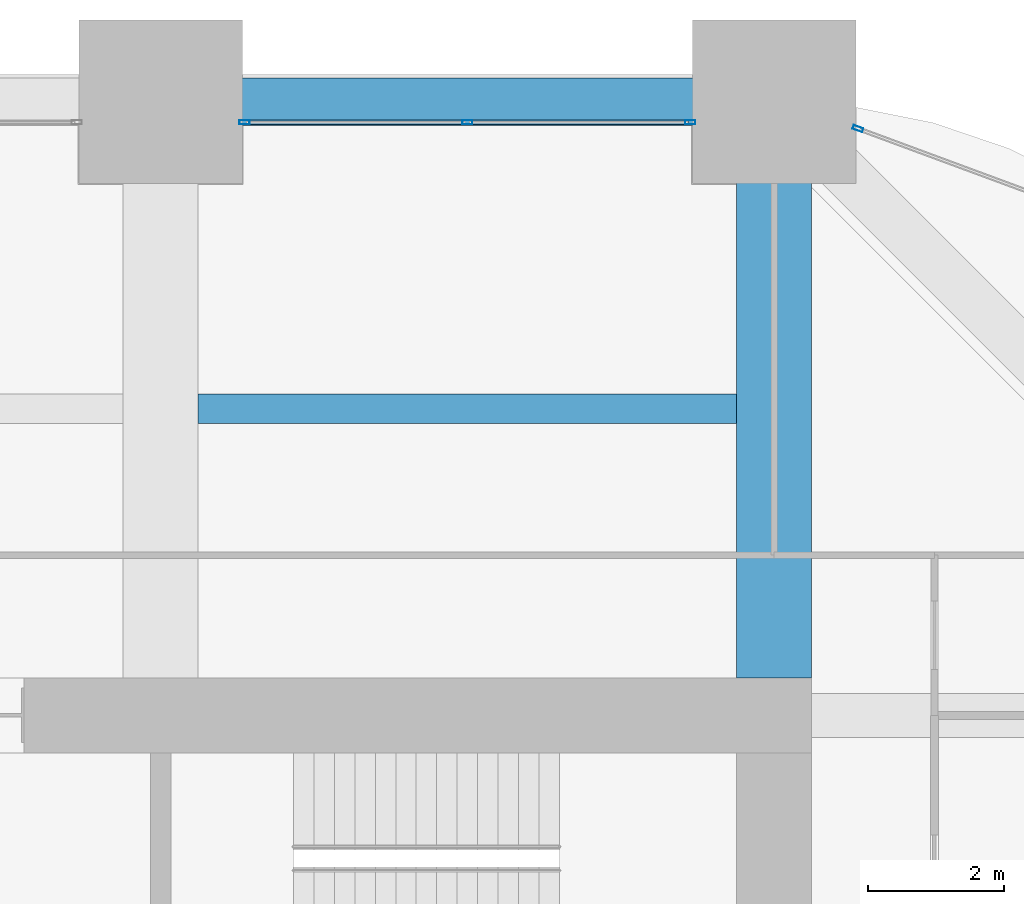
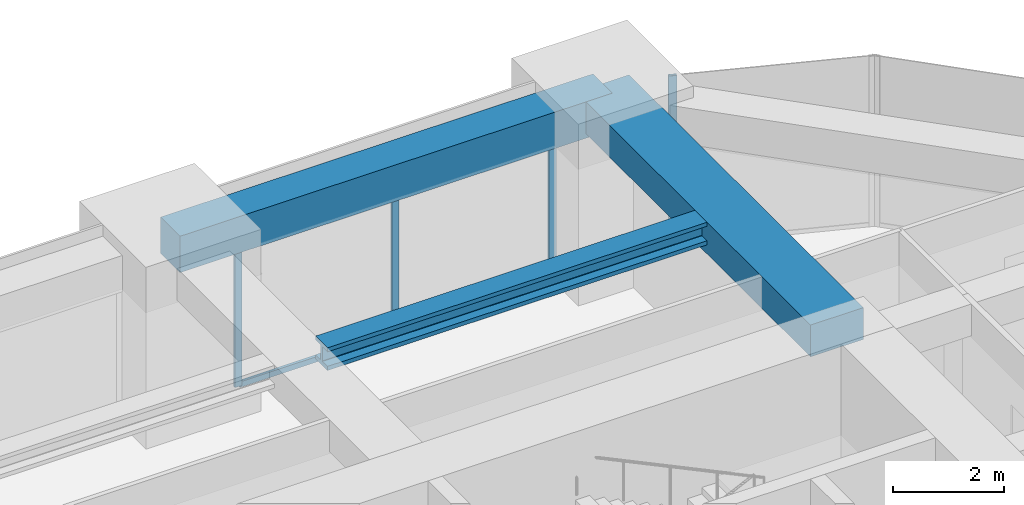
# One storey, part 26 of 34: 5 members, 3 beams, 2 elements without a shape of their own.
"""IFC4 building model written with IfcOpenShell, lengths in metres."""

from ifc_helpers import new_model, si_unit, direction, frame, origin, origin_2d, place, context, subcontext, project, spatial, rectangle, hollow_rectangle, i_section, extrude, material, material_profile, profile_set, type_object, element, aggregate, save


model = new_model("IFC4")

# Units and contexts
model_context = context("Model", 3, precision=1e-05, world=origin(), true_north=direction((0.0, 1.0)))
body_context = subcontext(model_context, "Body", "Model", "MODEL_VIEW")
ifc_project = project(units=[si_unit("LENGTHUNIT", "METRE"), si_unit("AREAUNIT", "SQUARE_METRE"), si_unit("VOLUMEUNIT", "CUBIC_METRE"), si_unit("PLANEANGLEUNIT", "RADIAN"), si_unit("MASSUNIT", "GRAM", prefix="KILO")], contexts=[model_context])

# Site, building, storey
site_placement = place(None, origin())
site = spatial("IfcSite", under=ifc_project, at=site_placement, CompositionType="ELEMENT")
building_placement = place(site_placement, origin())
building = spatial("IfcBuilding", under=site, at=building_placement, Name="Zorevar Civic Tower", CompositionType="ELEMENT")
storey_placement = place(building_placement, frame((0.0, 0.0, 174.199951171875)))
storey = spatial("IfcBuildingStorey", under=building, at=storey_placement, Name="L42", CompositionType="ELEMENT", Elevation=174.199951171875)

# Beam
ifc_material_1 = material(Name="Concrete C50/60", Category="concrete")
ifc_material_profile_1 = material_profile(ifc_material_1, rectangle(XDim=1.10009765625, YDim=0.699951171875, at=origin_2d()), Name="RC 1100x700")
ifc_profile_set_1 = profile_set([ifc_material_profile_1], Name="Concrete C50/60")
beam_type_1 = type_object("IfcBeamType", Name="Beam RC 1100x700", PredefinedType="BEAM", material=ifc_profile_set_1)
beam_1_placement = place(storey_placement, frame((45.0, 36.550048828125, 3.400146484375), z_axis=(0.0, 1.0, 0.0), x_axis=(-1.0, 0.0, 0.0)))
element("IfcBeam", 1, at=beam_1_placement, inside=storey, type_object=beam_type_1, Name="Girder L43", PredefinedType="BEAM", context=body_context, shape_type="SweptSolid", body=[
    extrude(rectangle(XDim=1.10009765625, YDim=0.699951171875, at=origin_2d()), origin(), (0.0, 0.0, 1.0), 8.449951171875),
])

# Curtain wall, members
ifc_material_2 = material(Name="Dark grey solar-control glass in black aluminium frame", Category="aluminium")
curtain_wall_type = type_object("IfcCurtainWallType", Name="Curtain wall CW4 high zone", PredefinedType="NOTDEFINED", material=ifc_material_2)
curtain_wall_1_placement = place(storey_placement, origin())
curtain_wall_1 = element("IfcCurtainWall", 2, at=curtain_wall_1_placement, inside=storey, type_object=curtain_wall_type, Name="CW4 L42", PredefinedType="NOTDEFINED")
ifc_material_3 = material(Name="Aluminium, black anodised", Category="aluminium")
ifc_material_profile_2 = material_profile(ifc_material_3, hollow_rectangle(XDim=0.06005859375, YDim=0.14990234375, WallThickness=0.00390625, at=origin_2d()), Name="AL 150x60x4")
ifc_profile_set_2 = profile_set([ifc_material_profile_2], Name="Aluminium, black anodised")
member_type_1 = type_object("IfcMemberType", Name="CW4 mullion AL 150x60x4", PredefinedType="MULLION", material=ifc_profile_set_2)
member_1_placement = place(storey_placement, frame((37.22998046875, 44.699951171875, 0.0), z_axis=(0.0, 0.0, 1.0), x_axis=(0.0, 1.0, 0.0)))
member_1 = element("IfcMember", 3, at=member_1_placement, type_object=member_type_1, Name="CW4 mullion 1", PredefinedType="MULLION", context=body_context, shape_type="SweptSolid", body=[
    extrude(hollow_rectangle(XDim=0.06005859375, YDim=0.14990234375, WallThickness=0.00390625, at=origin_2d()), origin(), (0.0, 0.0, 1.0), 2.949951171875),
])
member_2_placement = place(storey_placement, frame((40.5, 44.699951171875, 0.06005859375), z_axis=(0.0, 0.0, 1.0), x_axis=(0.0, 1.0, 0.0)))
member_2 = element("IfcMember", 4, at=member_2_placement, type_object=member_type_1, Name="CW4 mullion 2", PredefinedType="MULLION", context=body_context, shape_type="SweptSolid", body=[
    extrude(hollow_rectangle(XDim=0.06005859375, YDim=0.14990234375, WallThickness=0.00390625, at=origin_2d()), origin(), (0.0, 0.0, 1.0), 2.889892578125),
])
member_3_placement = place(storey_placement, frame((43.77001953125, 44.699951171875, 0.0), z_axis=(0.0, 0.0, 1.0), x_axis=(0.0, 1.0, 0.0)))
member_3 = element("IfcMember", 5, at=member_3_placement, type_object=member_type_1, Name="CW4 mullion 3", PredefinedType="MULLION", context=body_context, shape_type="SweptSolid", body=[
    extrude(hollow_rectangle(XDim=0.06005859375, YDim=0.14990234375, WallThickness=0.00390625, at=origin_2d()), origin(), (0.0, 0.0, 1.0), 2.949951171875),
])

# Curtain wall, member
curtain_wall_2_placement = place(storey_placement, origin())
curtain_wall_2 = element("IfcCurtainWall", 6, at=curtain_wall_2_placement, inside=storey, type_object=curtain_wall_type, Name="CW4 L42", PredefinedType="NOTDEFINED")
member_4_placement = place(storey_placement, frame((46.22802734375, 44.6064453125, 0.0), z_axis=(0.0, 0.0, 1.0), x_axis=(-0.346704012033, -0.937974588163, 0.0)))
member_4 = element("IfcMember", 7, at=member_4_placement, type_object=member_type_1, Name="CW4 mullion 2", PredefinedType="MULLION", context=body_context, shape_type="SweptSolid", body=[
    extrude(hollow_rectangle(XDim=0.06005859375, YDim=0.14990234375, WallThickness=0.00390625, at=origin_2d()), origin(), (0.0, 0.0, 1.0), 3.75),
])
aggregate(curtain_wall_2, [member_4])

# Member
ifc_material_4 = material(Name="Aluminium, black anodised", Category="aluminium")
ifc_material_profile_3 = material_profile(ifc_material_4, hollow_rectangle(XDim=0.06005859375, YDim=0.1201171875, WallThickness=0.0029296875, at=origin_2d()), Name="AL 120x60x3")
ifc_profile_set_3 = profile_set([ifc_material_profile_3], Name="Aluminium, black anodised")
member_type_2 = type_object("IfcMemberType", Name="CW4 transom AL 120x60x3", PredefinedType="USERDEFINED", material=ifc_profile_set_3)
member_5_placement = place(storey_placement, frame((37.260009765625, 44.699951171875, 0.030029296875), z_axis=(1.0, 0.0, 0.0), x_axis=(0.0, 1.0, 0.0)))
member_5 = element("IfcMember", 8, at=member_5_placement, type_object=member_type_2, Name="CW4 sill transom", ObjectType="TRANSOM", PredefinedType="USERDEFINED", context=body_context, shape_type="SweptSolid", body=[
    extrude(hollow_rectangle(XDim=0.06005859375, YDim=0.1201171875, WallThickness=0.0029296875, at=origin_2d()), origin(), (0.0, 0.0, 1.0), 6.47998046875),
])

aggregate(curtain_wall_1, [member_1, member_2, member_3, member_5])

# Beams
ifc_material_5 = material(Name="Steel S460M (HISTAR 460)", Category="steel")
ifc_material_profile_4 = material_profile(ifc_material_5, i_section(OverallWidth=0.431884765625, OverallDepth=0.498046875, WebThickness=0.0556640625, FlangeThickness=0.0888671875, FilletRadius=0.014892578125, at=origin_2d()), Name="HD 400x744")
ifc_profile_set_4 = profile_set([ifc_material_profile_4], Name="Steel S460M (HISTAR 460)")
beam_type_2 = type_object("IfcBeamType", Name="Core bay beam HD 400x744", PredefinedType="BEAM", material=ifc_profile_set_4)
beam_2_placement = place(storey_placement, frame((36.550048828125, 40.5, 3.5009765625), z_axis=(1.0, 0.0, 0.0), x_axis=(0.0, 1.0, 0.0)))
element("IfcBeam", 9, at=beam_2_placement, inside=storey, type_object=beam_type_2, Name="Secondary beam L43", PredefinedType="BEAM", context=body_context, shape_type="SweptSolid", body=[
    extrude(i_section(OverallWidth=0.431884765625, OverallDepth=0.498046875, WebThickness=0.0556640625, FlangeThickness=0.0888671875, FilletRadius=0.014892578125, at=origin_2d()), origin(), (0.0, 0.0, 1.0), 7.89990234375),
])
ifc_material_6 = material(Name="Concrete C50/60", Category="concrete")
ifc_material_profile_5 = material_profile(ifc_material_6, rectangle(XDim=0.699951171875, YDim=0.800048828125, at=origin_2d()), Name="RC 700x800")
ifc_profile_set_5 = profile_set([ifc_material_profile_5], Name="Concrete C50/60")
beam_type_3 = type_object("IfcBeamType", Name="Edge beam RC 700x800", PredefinedType="SPANDREL", material=ifc_profile_set_5)
beam_3_placement = place(storey_placement, frame((36.0, 45.0, 3.35009765625), z_axis=(1.0, 0.0, 0.0), x_axis=(0.0, 1.0, 0.0)))
element("IfcBeam", 10, at=beam_3_placement, inside=storey, type_object=beam_type_3, Name="Edge beam L43", PredefinedType="SPANDREL", context=body_context, shape_type="SweptSolid", body=[
    extrude(rectangle(XDim=0.699951171875, YDim=0.800048828125, at=origin_2d()), origin(), (0.0, 0.0, 1.0), 9.0),
])

save(model, "model.ifc")
